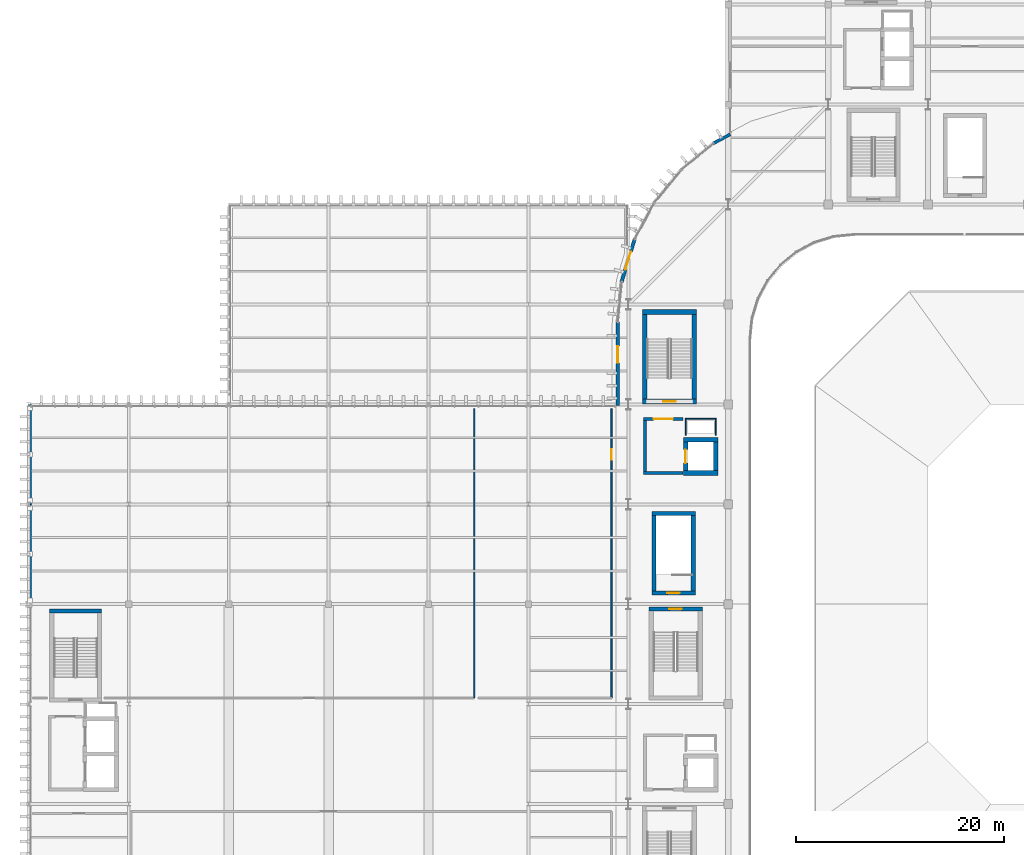
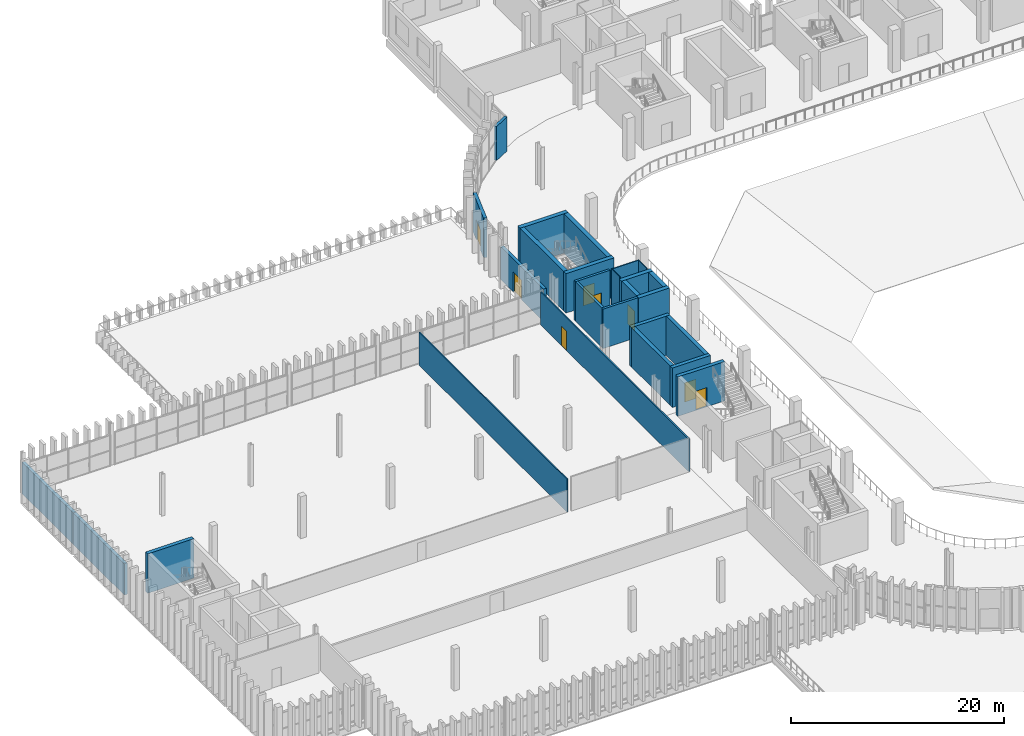
# One storey, part 61 of 99: 27 walls, 8 doors, 8 openings.
"""IFC4 building model written with IfcOpenShell, lengths in metres."""

from ifc_helpers import new_model, si_unit, direction, frame, frame_2d, origin, place, context, subcontext, project, spatial, rectangle, extrude, material, layer, layer_set, type_object, element, fill, save


model = new_model("IFC4")

# Units and contexts
model_context = context("Model", 3, precision=1e-05, world=origin(), true_north=direction((0.0, 1.0)))
body_context = subcontext(model_context, "Body", "Model", "MODEL_VIEW")
ifc_project = project(units=[si_unit("LENGTHUNIT", "METRE"), si_unit("AREAUNIT", "SQUARE_METRE"), si_unit("VOLUMEUNIT", "CUBIC_METRE"), si_unit("PLANEANGLEUNIT", "RADIAN"), si_unit("MASSUNIT", "GRAM", prefix="KILO")], contexts=[model_context])

# Site, building, storey
site_placement = place(None, origin())
site = spatial("IfcSite", under=ifc_project, at=site_placement, CompositionType="ELEMENT")
building_placement = place(site_placement, origin())
building = spatial("IfcBuilding", under=site, at=building_placement, Name="Caelomonte Colonnade Arena", CompositionType="ELEMENT")
storey_placement = place(building_placement, frame((0.0, 0.0, 4.800048828125)))
storey = spatial("IfcBuildingStorey", under=building, at=storey_placement, Name="L01", CompositionType="ELEMENT", Elevation=4.800048828125)

# Wall
ifc_material_1 = material(Name="Precast concrete C40/50", Category="concrete")
ifc_layer_1 = layer(ifc_material_1, 0.2900390625)
ifc_layer_set_1 = layer_set([ifc_layer_1], Name="Precast concrete C40/50")
wall_type_1 = type_object("IfcWallType", Name="ENV-WL-EXT29", PredefinedType="SOLIDWALL", material=ifc_layer_set_1)
wall_1_placement = place(storey_placement, frame((67.390625, 112.343017578125, 0.0), z_axis=(0.0, 0.0, 1.0), x_axis=(-0.881883861215, -0.47146670649, 0.0)))
element("IfcWall", 1, at=wall_1_placement, inside=storey, type_object=wall_type_1, Name="L01 exterior wall EW-L01-0222", PredefinedType="SOLIDWALL", context=body_context, shape_type="SweptSolid", body=[
    extrude(rectangle(XDim=1.903564453125, YDim=0.2900390625, at=frame_2d((0.95166015625, 0.0))), origin(), (0.0, 0.0, 1.0), 3.912841796875),
])

# Wall, opening, door
ifc_layer_2 = layer(ifc_material_1, 0.330078125)
ifc_layer_set_2 = layer_set([ifc_layer_2], Name="Precast concrete C40/50")
wall_type_2 = type_object("IfcWallType", Name="ENV-WL-EXT33", PredefinedType="SOLIDWALL", material=ifc_layer_set_2)
wall_2_placement = place(storey_placement, frame((58.20556640625, 102.299072265625, 0.0), z_axis=(0.0, 0.0, 1.0), x_axis=(-0.290271780936, -0.956944247693, 0.0)))
wall_2 = element("IfcWall", 2, at=wall_2_placement, inside=storey, type_object=wall_type_2, Name="L01 exterior wall EW-L01-0223", PredefinedType="SOLIDWALL", context=body_context, shape_type="SweptSolid", body=[
    extrude(rectangle(XDim=4.356689453125, YDim=0.330078125, at=frame_2d((2.17822265625, 0.0))), origin(), (0.0, 0.0, 1.0), 4.52001953125),
])
opening_1_placement = place(wall_2_placement, frame((3.078369140625, 0.0, 0.0), z_axis=(0.0, 0.0, 1.0), x_axis=(-1.0, 0.0, 0.0)))
opening_1 = element("IfcOpeningElement", 3, at=opening_1_placement, cuts=wall_2, Name="Opening DT-L01-03", PredefinedType="OPENING", context=body_context, shape_type="SweptSolid", body=[
    extrude(rectangle(XDim=1.800048828125, YDim=2.300048828125, at=frame_2d((0.89990234375, 1.14990234375))), frame((0.0, 0.175048828125, 0.0), z_axis=(0.0, -1.0, 0.0), x_axis=(1.0, 0.0, 0.0)), (0.0, 0.0, 1.0), 0.35009765625),
])
ifc_material_2 = material(Name="Bronze anodised aluminium glazed terrace door", Category="aluminium")
door_type_1 = type_object("IfcDoorType", Name="ENV-DR-TR1", OperationType="DOUBLE_DOOR_SINGLE_SWING", PredefinedType="DOOR", material=ifc_material_2)
door_1_placement = place(opening_1_placement, origin())
door_1 = element("IfcDoor", 4, at=door_1_placement, inside=storey, type_object=door_type_1, Name="L01 North Athlete Deck Roof door DT-L01-03", OperationType="DOUBLE_DOOR_SINGLE_SWING", OverallHeight=2.300048828125, OverallWidth=1.800048828125, PredefinedType="DOOR", context=body_context, shape_type="SweptSolid", body=[
    extrude(rectangle(XDim=1.800048828125, YDim=2.300048828125, at=frame_2d((0.89990234375, 1.14990234375))), frame((0.0, 0.02490234375, 0.0), z_axis=(0.0, -1.0, 0.0), x_axis=(1.0, 0.0, 0.0)), (0.0, 0.0, 1.0), 0.050048828125),
])
fill(opening_1, door_1)

wall_3_placement = place(storey_placement, frame((56.580078125, 94.320068359375, 0.0), z_axis=(0.0, 0.0, 1.0), x_axis=(0.0, -1.0, 0.0)))
wall_3 = element("IfcWall", 5, at=wall_3_placement, inside=storey, type_object=wall_type_2, Name="L01 exterior wall EW-L01-0224", PredefinedType="SOLIDWALL", context=body_context, shape_type="SweptSolid", body=[
    extrude(rectangle(XDim=8.0400390625, YDim=0.330078125, at=frame_2d((4.02001953125, 0.0))), origin(), (0.0, 0.0, 1.0), 3.758056640625),
])
opening_2_placement = place(wall_3_placement, frame((3.92724609375, 0.0, 0.0), z_axis=(0.0, 0.0, 1.0), x_axis=(-1.0, 0.0, 0.0)))
opening_2 = element("IfcOpeningElement", 6, at=opening_2_placement, cuts=wall_3, Name="Opening DT-L01-04", PredefinedType="OPENING", context=body_context, shape_type="SweptSolid", body=[
    extrude(rectangle(XDim=1.60009765625, YDim=2.25, at=frame_2d((0.800048828125, 1.125))), frame((0.0, 0.175048828125, 0.0), z_axis=(0.0, -1.0, 0.0), x_axis=(1.0, 0.0, 0.0)), (0.0, 0.0, 1.0), 0.35009765625),
])
door_type_2 = type_object("IfcDoorType", Name="ENV-DR-TR2", OperationType="DOUBLE_DOOR_SINGLE_SWING", PredefinedType="DOOR", material=ifc_material_2)
door_2_placement = place(opening_2_placement, origin())
door_2 = element("IfcDoor", 7, at=door_2_placement, inside=storey, type_object=door_type_2, Name="L01 North Athlete Deck Roof door DT-L01-04", OperationType="DOUBLE_DOOR_SINGLE_SWING", OverallHeight=2.25, OverallWidth=1.60009765625, PredefinedType="DOOR", context=body_context, shape_type="SweptSolid", body=[
    extrude(rectangle(XDim=1.60009765625, YDim=2.25, at=frame_2d((0.800048828125, 1.125))), frame((0.0, 0.02490234375, 0.0), z_axis=(0.0, -1.0, 0.0), x_axis=(1.0, 0.0, 0.0)), (0.0, 0.0, 1.0), 0.050048828125),
])
fill(opening_2, door_2)

# Walls
wall_4_placement = place(storey_placement, frame((0.10009765625, 86.39990234375, 0.0), z_axis=(0.0, 0.0, 1.0), x_axis=(0.0, -1.0, 0.0)))
element("IfcWall", 8, at=wall_4_placement, inside=storey, type_object=wall_type_2, Name="L01 exterior wall EW-L01-0225", PredefinedType="SOLIDWALL", context=body_context, shape_type="SweptSolid", body=[
    extrude(rectangle(XDim=9.599853515625, YDim=0.330078125, at=frame_2d((4.7998046875, 0.0))), origin(), (0.0, 0.0, 1.0), 3.593017578125),
])
wall_5_placement = place(storey_placement, frame((0.10009765625, 76.800048828125, 0.0), z_axis=(0.0, 0.0, 1.0), x_axis=(0.0, -1.0, 0.0)))
element("IfcWall", 9, at=wall_5_placement, inside=storey, type_object=wall_type_2, Name="L01 exterior wall EW-L01-0226", PredefinedType="SOLIDWALL", context=body_context, shape_type="SweptSolid", body=[
    extrude(rectangle(XDim=9.60009765625, YDim=0.330078125, at=frame_2d((4.800048828125, 0.0))), origin(), (0.0, 0.0, 1.0), 3.593017578125),
])
ifc_material_3 = material(Name="Concrete C40/50", Category="concrete")
ifc_layer_3 = layer(ifc_material_3, 0.260009765625)
ifc_layer_set_3 = layer_set([ifc_layer_3], Name="Concrete C40/50")
wall_type_3 = type_object("IfcWallType", Name="INT-WL-FW26", PredefinedType="SOLIDWALL", material=ifc_layer_set_3)
wall_6_placement = place(storey_placement, frame((59.070068359375, 79.800048828125, 0.0), z_axis=(0.0, 0.0, 1.0), x_axis=(1.0, 0.0, 0.0)))
element("IfcWall", 10, at=wall_6_placement, inside=storey, type_object=wall_type_3, Name="FW-C4-LB L01 south enclosure wall", PredefinedType="SOLIDWALL", context=body_context, shape_type="SweptSolid", body=[
    extrude(rectangle(XDim=3.760009765625, YDim=0.260009765625, at=frame_2d((1.8798828125, 0.0))), origin(), (0.0, 0.0, 1.0), 4.52001953125),
])

# Wall, opening, door
wall_7_placement = place(storey_placement, frame((62.830078125, 85.0, 0.0), z_axis=(0.0, 0.0, 1.0), x_axis=(-1.0, 0.0, 0.0)))
wall_7 = element("IfcWall", 11, at=wall_7_placement, inside=storey, type_object=wall_type_3, Name="FW-C4-LB L01 north enclosure wall", PredefinedType="SOLIDWALL", context=body_context, shape_type="SweptSolid", body=[
    extrude(rectangle(XDim=3.760009765625, YDim=0.260009765625, at=frame_2d((1.8798828125, 0.0))), origin(), (0.0, 0.0, 1.0), 4.52001953125),
])
opening_3_placement = place(wall_7_placement, frame((2.80517578125, 0.0, 0.0), z_axis=(0.0, 0.0, 1.0), x_axis=(-1.0, 0.0, 0.0)))
opening_3 = element("IfcOpeningElement", 12, at=opening_3_placement, cuts=wall_7, Name="Opening FD-2", PredefinedType="OPENING", context=body_context, shape_type="SweptSolid", body=[
    extrude(rectangle(XDim=1.85009765625, YDim=2.25, at=frame_2d((0.925048828125, 1.125))), frame((0.0, 0.139892578125, 0.0), z_axis=(0.0, -1.0, 0.0), x_axis=(1.0, 0.0, 0.0)), (0.0, 0.0, 1.0), 0.280029296875),
])
ifc_material_4 = material(Name="Fire-rated double steel door", Category="steel")
door_type_3 = type_object("IfcDoorType", Name="INT-DR-FD90B", OperationType="DOUBLE_DOOR_SINGLE_SWING", PredefinedType="DOOR", material=ifc_material_4)
door_3_placement = place(opening_3_placement, origin())
door_3 = element("IfcDoor", 13, at=door_3_placement, inside=storey, type_object=door_type_3, Name="Core C4 L01 lobby fire door", OperationType="DOUBLE_DOOR_SINGLE_SWING", OverallHeight=2.25, OverallWidth=1.85009765625, PredefinedType="DOOR", context=body_context, shape_type="SweptSolid", body=[
    extrude(rectangle(XDim=1.85009765625, YDim=2.25, at=frame_2d((0.925048828125, 1.125))), frame((0.0, 0.02490234375, 0.0), z_axis=(0.0, -1.0, 0.0), x_axis=(1.0, 0.0, 0.0)), (0.0, 0.0, 1.0), 0.050048828125),
])
fill(opening_3, door_3)

# Walls
wall_8_placement = place(storey_placement, frame((59.199951171875, 84.8701171875, 0.0), z_axis=(0.0, 0.0, 1.0), x_axis=(0.0, -1.0, 0.0)))
element("IfcWall", 14, at=wall_8_placement, inside=storey, type_object=wall_type_3, Name="FW-C4-LB L01 west enclosure wall", PredefinedType="SOLIDWALL", context=body_context, shape_type="SweptSolid", body=[
    extrude(rectangle(XDim=4.940185546875, YDim=0.260009765625, at=frame_2d((2.47021484375, 0.0))), origin(), (0.0, 0.0, 1.0), 4.52001953125),
])
ifc_material_5 = material(Name="Service shaft lining partition")
ifc_layer_4 = layer(ifc_material_5, 0.10009765625)
ifc_layer_set_4 = layer_set([ifc_layer_4], Name="Service shaft lining partition")
wall_type_4 = type_object("IfcWallType", Name="INT-WL-PT10", PredefinedType="PARTITIONING", material=ifc_layer_set_4)
wall_9_placement = place(storey_placement, frame((66.050048828125, 85.0, 0.0), z_axis=(0.0, 0.0, 1.0), x_axis=(-1.0, 0.0, 0.0)))
element("IfcWall", 15, at=wall_9_placement, inside=storey, type_object=wall_type_4, Name="FW-C4-RS L01 north enclosure wall", PredefinedType="PARTITIONING", context=body_context, shape_type="SweptSolid", body=[
    extrude(rectangle(XDim=3.0, YDim=0.10009765625, at=frame_2d((1.5, 0.0))), origin(), (0.0, 0.0, 1.0), 4.52001953125),
])
for number, where, z_axis, x_axis, name in (
    (16, (63.10009765625, 84.949951171875, 0.0), (0.0, 0.0, 1.0), (0.0, -1.0, 0.0), "FW-C4-RS L01 west enclosure wall"),
    (17, (66.0, 83.449951171875, 0.0), (0.0, 0.0, 1.0), (0.0, 1.0, 0.0), "FW-C4-RS L01 east enclosure wall"),
):
    element("IfcWall", number, at=place(storey_placement, frame(where, z_axis=z_axis, x_axis=x_axis)), inside=storey, type_object=wall_type_4, Name=name, PredefinedType="PARTITIONING", context=body_context, shape_type="SweptSolid", body=[
        extrude(rectangle(XDim=1.5, YDim=0.10009765625, at=frame_2d((0.75, 0.0))), origin(), (0.0, 0.0, 1.0), 4.52001953125),
    ])
ifc_material_6 = material(Name="Office gypsum stud partition")
ifc_layer_5 = layer(ifc_material_6, 0.1201171875)
ifc_layer_set_5 = layer_set([ifc_layer_5], Name="Office gypsum stud partition")
wall_type_5 = type_object("IfcWallType", Name="INT-WL-PT12", PredefinedType="PARTITIONING", material=ifc_layer_set_5)
wall_10_placement = place(storey_placement, frame((42.800048828125, 86.0, 0.0), z_axis=(0.0, 0.0, 1.0), x_axis=(0.0, -1.0, 0.0)))
element("IfcWall", 18, at=wall_10_placement, inside=storey, type_object=wall_type_5, Name="L01 Youth Sports Academy Studio partition 139", PredefinedType="PARTITIONING", context=body_context, shape_type="SweptSolid", body=[
    extrude(rectangle(XDim=27.800048828125, YDim=0.1201171875, at=frame_2d((13.89990234375, 0.0))), origin(), (0.0, 0.0, 1.0), 3.758056640625),
])

# Wall, opening, door
ifc_material_7 = material(Name="Suite demising stud partition")
ifc_layer_6 = layer(ifc_material_7, 0.139892578125)
ifc_layer_set_6 = layer_set([ifc_layer_6], Name="Suite demising stud partition")
wall_type_6 = type_object("IfcWallType", Name="INT-WL-PT14", PredefinedType="PARTITIONING", material=ifc_layer_set_6)
wall_11_placement = place(storey_placement, frame((56.0, 86.0, 0.0), z_axis=(0.0, 0.0, 1.0), x_axis=(0.0, -1.0, 0.0)))
wall_11 = element("IfcWall", 19, at=wall_11_placement, inside=storey, type_object=wall_type_6, Name="L01 Coaching Office Suite partition 141", PredefinedType="PARTITIONING", context=body_context, shape_type="SweptSolid", body=[
    extrude(rectangle(XDim=27.800048828125, YDim=0.139892578125, at=frame_2d((13.89990234375, 0.0))), origin(), (0.0, 0.0, 1.0), 3.758056640625),
])
opening_4_placement = place(wall_11_placement, frame((3.89990234375, 0.0, 0.0), z_axis=(0.0, 0.0, 1.0), x_axis=(1.0, 0.0, 0.0)))
opening_4 = element("IfcOpeningElement", 20, at=opening_4_placement, cuts=wall_11, Name="Opening D-L01-047", PredefinedType="OPENING", context=body_context, shape_type="SweptSolid", body=[
    extrude(rectangle(XDim=1.0, YDim=2.199951171875, at=frame_2d((0.5, 1.10009765625))), frame((0.0, 0.079833984375, 0.0), z_axis=(0.0, -1.0, 0.0), x_axis=(1.0, 0.0, 0.0)), (0.0, 0.0, 1.0), 0.159912109375),
])
ifc_material_8 = material(Name="Hardwood veneer acoustic suite door", Category="wood")
door_type_4 = type_object("IfcDoorType", Name="INT-DR-SU1", OperationType="NOTDEFINED", PredefinedType="DOOR", material=ifc_material_8)
door_4_placement = place(opening_4_placement, origin())
door_4 = element("IfcDoor", 21, at=door_4_placement, inside=storey, type_object=door_type_4, Name="L01 Coaching Office Suite door D-L01-047", OperationType="SINGLE_SWING_LEFT", OverallHeight=2.199951171875, OverallWidth=1.0, PredefinedType="DOOR", context=body_context, shape_type="SweptSolid", body=[
    extrude(rectangle(XDim=1.0, YDim=2.199951171875, at=frame_2d((0.5, 1.10009765625))), frame((0.0, 0.02490234375, 0.0), z_axis=(0.0, -1.0, 0.0), x_axis=(1.0, 0.0, 0.0)), (0.0, 0.0, 1.0), 0.050048828125),
])
fill(opening_4, door_4)

# Wall
ifc_material_9 = material(Name="Concrete C50/60", Category="concrete")
ifc_layer_7 = layer(ifc_material_9, 0.39990234375)
ifc_layer_set_7 = layer_set([ifc_layer_7], Name="Concrete C50/60")
wall_type_7 = type_object("IfcWallType", Name="INT-WL-SH40", PredefinedType="SHEAR", material=ifc_layer_set_7)
wall_12_placement = place(storey_placement, frame((7.0, 66.550048828125, 0.0), z_axis=(0.0, 0.0, 1.0), x_axis=(-1.0, 0.0, 0.0)))
element("IfcWall", 22, at=wall_12_placement, inside=storey, type_object=wall_type_7, Name="CW-C8-ST L01 north enclosure wall", PredefinedType="SHEAR", context=body_context, shape_type="SweptSolid", body=[
    extrude(rectangle(XDim=5.0, YDim=0.39990234375, at=frame_2d((2.5, 0.0))), origin(), (0.0, 0.0, 1.0), 4.52001953125),
])

# Wall, opening, door
wall_13_placement = place(storey_placement, frame((64.699951171875, 66.75, 0.0), z_axis=(0.0, 0.0, 1.0), x_axis=(-1.0, 0.0, 0.0)))
wall_13 = element("IfcWall", 23, at=wall_13_placement, inside=storey, type_object=wall_type_7, Name="CW-ST-09 L01 north enclosure wall", PredefinedType="SHEAR", context=body_context, shape_type="SweptSolid", body=[
    extrude(rectangle(XDim=5.099853515625, YDim=0.39990234375, at=frame_2d((2.5498046875, 0.0))), origin(), (0.0, 0.0, 1.0), 4.52001953125),
])
opening_5_placement = place(wall_13_placement, frame((3.14990234375, 0.0, 0.0), z_axis=(0.0, 0.0, 1.0), x_axis=(-1.0, 0.0, 0.0)))
opening_5 = element("IfcOpeningElement", 24, at=opening_5_placement, cuts=wall_13, Name="Opening FD-1", PredefinedType="OPENING", context=body_context, shape_type="SweptSolid", body=[
    extrude(rectangle(XDim=1.199951171875, YDim=2.199951171875, at=frame_2d((0.60009765625, 1.10009765625))), frame((0.0, 0.2099609375, 0.0), z_axis=(0.0, -1.0, 0.0), x_axis=(1.0, 0.0, 0.0)), (0.0, 0.0, 1.0), 0.419921875),
])
ifc_material_10 = material(Name="Fire-rated steel door", Category="steel")
door_type_5 = type_object("IfcDoorType", Name="INT-DR-FD90A", OperationType="NOTDEFINED", PredefinedType="DOOR", material=ifc_material_10)
door_5_placement = place(opening_5_placement, origin())
door_5 = element("IfcDoor", 25, at=door_5_placement, inside=storey, type_object=door_type_5, Name="Protected exit stair ST-09 L01 fire door", OperationType="SINGLE_SWING_RIGHT", OverallHeight=2.199951171875, OverallWidth=1.199951171875, PredefinedType="DOOR", context=body_context, shape_type="SweptSolid", body=[
    extrude(rectangle(XDim=1.199951171875, YDim=2.199951171875, at=frame_2d((0.60009765625, 1.10009765625))), frame((0.0, 0.02490234375, 0.0), z_axis=(0.0, -1.0, 0.0), x_axis=(1.0, 0.0, 0.0)), (0.0, 0.0, 1.0), 0.050048828125),
])
fill(opening_5, door_5)

wall_14_placement = place(storey_placement, frame((59.8701171875, 68.27001953125, 0.0), z_axis=(0.0, 0.0, 1.0), x_axis=(1.0, 0.0, 0.0)))
wall_14 = element("IfcWall", 26, at=wall_14_placement, inside=storey, type_object=wall_type_7, Name="CW-ST-V07 L01 south enclosure wall", PredefinedType="SHEAR", context=body_context, shape_type="SweptSolid", body=[
    extrude(rectangle(XDim=4.159912109375, YDim=0.39990234375, at=frame_2d((2.080078125, 0.0))), origin(), (0.0, 0.0, 1.0), 4.52001953125),
])
opening_6_placement = place(wall_14_placement, frame((2.679931640625, 0.0, 0.0), z_axis=(0.0, 0.0, 1.0), x_axis=(-1.0, 0.0, 0.0)))
opening_6 = element("IfcOpeningElement", 27, at=opening_6_placement, cuts=wall_14, Name="Opening FD-1", PredefinedType="OPENING", context=body_context, shape_type="SweptSolid", body=[
    extrude(rectangle(XDim=1.199951171875, YDim=2.199951171875, at=frame_2d((0.60009765625, 1.10009765625))), frame((0.0, 0.2099609375, 0.0), z_axis=(0.0, -1.0, 0.0), x_axis=(1.0, 0.0, 0.0)), (0.0, 0.0, 1.0), 0.419921875),
])
door_6_placement = place(opening_6_placement, origin())
door_6 = element("IfcDoor", 28, at=door_6_placement, inside=storey, type_object=door_type_5, Name="Vomitory VOM-07 stair ST-V07 L01 portal door", OperationType="SINGLE_SWING_LEFT", OverallHeight=2.199951171875, OverallWidth=1.199951171875, PredefinedType="DOOR", context=body_context, shape_type="SweptSolid", body=[
    extrude(rectangle(XDim=1.199951171875, YDim=2.199951171875, at=frame_2d((0.60009765625, 1.10009765625))), frame((0.0, 0.02490234375, 0.0), z_axis=(0.0, -1.0, 0.0), x_axis=(1.0, 0.0, 0.0)), (0.0, 0.0, 1.0), 0.050048828125),
])
fill(opening_6, door_6)

# Walls
wall_15_placement = place(storey_placement, frame((64.030029296875, 75.929931640625, 0.0), z_axis=(0.0, 0.0, 1.0), x_axis=(-1.0, 0.0, 0.0)))
element("IfcWall", 29, at=wall_15_placement, inside=storey, type_object=wall_type_7, Name="CW-ST-V07 L01 north enclosure wall", PredefinedType="SHEAR", context=body_context, shape_type="SweptSolid", body=[
    extrude(rectangle(XDim=4.159912109375, YDim=0.39990234375, at=frame_2d((2.080078125, 0.0))), origin(), (0.0, 0.0, 1.0), 4.52001953125),
])
for number, where, z_axis, x_axis, name in (
    (30, (60.070068359375, 75.72998046875, 0.0), (0.0, 0.0, 1.0), (0.0, -1.0, 0.0), "CW-ST-V07 L01 west enclosure wall"),
    (31, (63.830078125, 68.469970703125, 0.0), (0.0, 0.0, 1.0), (0.0, 1.0, 0.0), "CW-ST-V07 L01 east enclosure wall"),
):
    element("IfcWall", number, at=place(storey_placement, frame(where, z_axis=z_axis, x_axis=x_axis)), inside=storey, type_object=wall_type_7, Name=name, PredefinedType="SHEAR", context=body_context, shape_type="SweptSolid", body=[
        extrude(rectangle(XDim=7.260009765625, YDim=0.39990234375, at=frame_2d((3.6298828125, 0.0))), origin(), (0.0, 0.0, 1.0), 4.52001953125),
    ])

# Wall, opening, door
ifc_layer_8 = layer(ifc_material_9, 0.449951171875)
ifc_layer_set_8 = layer_set([ifc_layer_8], Name="Concrete C50/60")
wall_type_8 = type_object("IfcWallType", Name="INT-WL-SH45", PredefinedType="SHEAR", material=ifc_layer_set_8)
wall_16_placement = place(storey_placement, frame((58.949951171875, 86.675048828125, 0.0), z_axis=(0.0, 0.0, 1.0), x_axis=(1.0, 0.0, 0.0)))
wall_16 = element("IfcWall", 32, at=wall_16_placement, inside=storey, type_object=wall_type_8, Name="CW-C4-ST L01 south enclosure wall", PredefinedType="SHEAR", context=body_context, shape_type="SweptSolid", body=[
    extrude(rectangle(XDim=5.199951171875, YDim=0.449951171875, at=frame_2d((2.60009765625, 0.0))), origin(), (0.0, 0.0, 1.0), 4.52001953125),
])
opening_7_placement = place(wall_16_placement, frame((3.199951171875, 0.0, 0.0), z_axis=(0.0, 0.0, 1.0), x_axis=(-1.0, 0.0, 0.0)))
opening_7 = element("IfcOpeningElement", 33, at=opening_7_placement, cuts=wall_16, Name="Opening FD-1", PredefinedType="OPENING", context=body_context, shape_type="SweptSolid", body=[
    extrude(rectangle(XDim=1.199951171875, YDim=2.199951171875, at=frame_2d((0.60009765625, 1.10009765625))), frame((0.0, 0.23486328125, 0.0), z_axis=(0.0, -1.0, 0.0), x_axis=(1.0, 0.0, 0.0)), (0.0, 0.0, 1.0), 0.469970703125),
])
door_7_placement = place(opening_7_placement, origin())
door_7 = element("IfcDoor", 34, at=door_7_placement, inside=storey, type_object=door_type_5, Name="Core C4 L01 exit stair fire door", OperationType="SINGLE_SWING_LEFT", OverallHeight=2.199951171875, OverallWidth=1.199951171875, PredefinedType="DOOR", context=body_context, shape_type="SweptSolid", body=[
    extrude(rectangle(XDim=1.199951171875, YDim=2.199951171875, at=frame_2d((0.60009765625, 1.10009765625))), frame((0.0, 0.02490234375, 0.0), z_axis=(0.0, -1.0, 0.0), x_axis=(1.0, 0.0, 0.0)), (0.0, 0.0, 1.0), 0.050048828125),
])
fill(opening_7, door_7)

# Walls
wall_17_placement = place(storey_placement, frame((64.14990234375, 95.27490234375, 0.0), z_axis=(0.0, 0.0, 1.0), x_axis=(-1.0, 0.0, 0.0)))
element("IfcWall", 35, at=wall_17_placement, inside=storey, type_object=wall_type_8, Name="CW-C4-ST L01 north enclosure wall", PredefinedType="SHEAR", context=body_context, shape_type="SweptSolid", body=[
    extrude(rectangle(XDim=5.199951171875, YDim=0.449951171875, at=frame_2d((2.60009765625, 0.0))), origin(), (0.0, 0.0, 1.0), 4.52001953125),
])
for number, where, z_axis, x_axis, name in (
    (36, (59.175048828125, 95.050048828125, 0.0), (0.0, 0.0, 1.0), (0.0, -1.0, 0.0), "CW-C4-ST L01 west enclosure wall"),
    (37, (63.925048828125, 86.89990234375, 0.0), (0.0, 0.0, 1.0), (0.0, 1.0, 0.0), "CW-C4-ST L01 east enclosure wall"),
):
    element("IfcWall", number, at=place(storey_placement, frame(where, z_axis=z_axis, x_axis=x_axis)), inside=storey, type_object=wall_type_8, Name=name, PredefinedType="SHEAR", context=body_context, shape_type="SweptSolid", body=[
        extrude(rectangle(XDim=8.150146484375, YDim=0.449951171875, at=frame_2d((4.0751953125, 0.0))), origin(), (0.0, 0.0, 1.0), 4.52001953125),
    ])
for number, where, z_axis, x_axis, name in (
    (38, (62.875, 79.800048828125, 0.0), (0.0, 0.0, 1.0), (1.0, 0.0, 0.0), "CW-C4-LF L01 south enclosure wall"),
    (39, (66.22509765625, 83.0, 0.0), (0.0, 0.0, 1.0), (-1.0, 0.0, 0.0), "CW-C4-LF L01 north enclosure wall"),
):
    element("IfcWall", number, at=place(storey_placement, frame(where, z_axis=z_axis, x_axis=x_axis)), inside=storey, type_object=wall_type_8, Name=name, PredefinedType="SHEAR", context=body_context, shape_type="SweptSolid", body=[
        extrude(rectangle(XDim=3.35009765625, YDim=0.449951171875, at=frame_2d((1.675048828125, 0.0))), origin(), (0.0, 0.0, 1.0), 4.52001953125),
    ])

# Wall, opening, door
wall_18_placement = place(storey_placement, frame((63.10009765625, 82.77490234375, 0.0), z_axis=(0.0, 0.0, 1.0), x_axis=(0.0, -1.0, 0.0)))
wall_18 = element("IfcWall", 40, at=wall_18_placement, inside=storey, type_object=wall_type_8, Name="CW-C4-LF L01 west enclosure wall", PredefinedType="SHEAR", context=body_context, shape_type="SweptSolid", body=[
    extrude(rectangle(XDim=2.75, YDim=0.449951171875, at=frame_2d((1.375, 0.0))), origin(), (0.0, 0.0, 1.0), 4.52001953125),
])
opening_8_placement = place(wall_18_placement, frame((0.72509765625, 0.0, 0.0), z_axis=(0.0, 0.0, 1.0), x_axis=(1.0, 0.0, 0.0)))
opening_8 = element("IfcOpeningElement", 41, at=opening_8_placement, cuts=wall_18, Name="Opening LD-FL-04-L01", PredefinedType="OPENING", context=body_context, shape_type="SweptSolid", body=[
    extrude(rectangle(XDim=1.300048828125, YDim=2.25, at=frame_2d((0.64990234375, 1.125))), frame((0.0, 0.23486328125, 0.0), z_axis=(0.0, -1.0, 0.0), x_axis=(1.0, 0.0, 0.0)), (0.0, 0.0, 1.0), 0.469970703125),
])
ifc_material_11 = material(Name="Firefighting lift landing door")
door_type_6 = type_object("IfcDoorType", Name="INT-DR-LD2", OperationType="SLIDING_TO_RIGHT", PredefinedType="DOOR", material=ifc_material_11)
door_8_placement = place(opening_8_placement, origin())
door_8 = element("IfcDoor", 42, at=door_8_placement, inside=storey, type_object=door_type_6, Name="Lift FL-04 L01 sliding landing door", OperationType="SLIDING_TO_RIGHT", OverallHeight=2.25, OverallWidth=1.300048828125, PredefinedType="DOOR", context=body_context, shape_type="SweptSolid", body=[
    extrude(rectangle(XDim=1.300048828125, YDim=2.25, at=frame_2d((0.64990234375, 1.125))), frame((0.0, 0.02490234375, 0.0), z_axis=(0.0, -1.0, 0.0), x_axis=(1.0, 0.0, 0.0)), (0.0, 0.0, 1.0), 0.050048828125),
])
fill(opening_8, door_8)

# Wall
wall_19_placement = place(storey_placement, frame((66.0, 80.02490234375, 0.0), z_axis=(0.0, 0.0, 1.0), x_axis=(0.0, 1.0, 0.0)))
element("IfcWall", 43, at=wall_19_placement, inside=storey, type_object=wall_type_8, Name="CW-C4-LF L01 east enclosure wall", PredefinedType="SHEAR", context=body_context, shape_type="SweptSolid", body=[
    extrude(rectangle(XDim=2.75, YDim=0.449951171875, at=frame_2d((1.375, 0.0))), origin(), (0.0, 0.0, 1.0), 4.52001953125),
])

save(model, "model.ifc")
